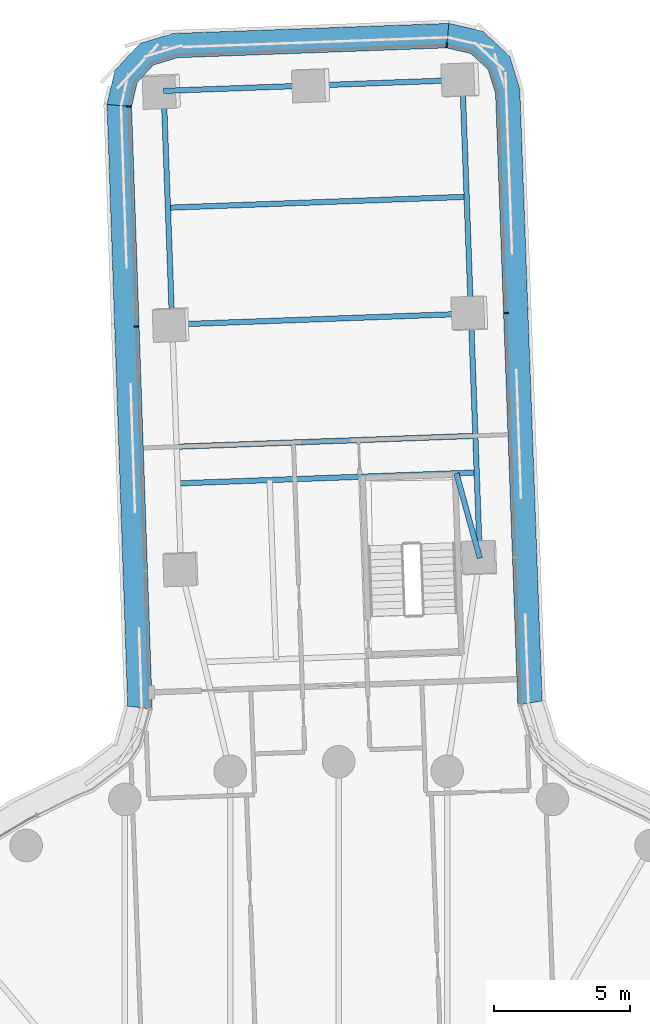
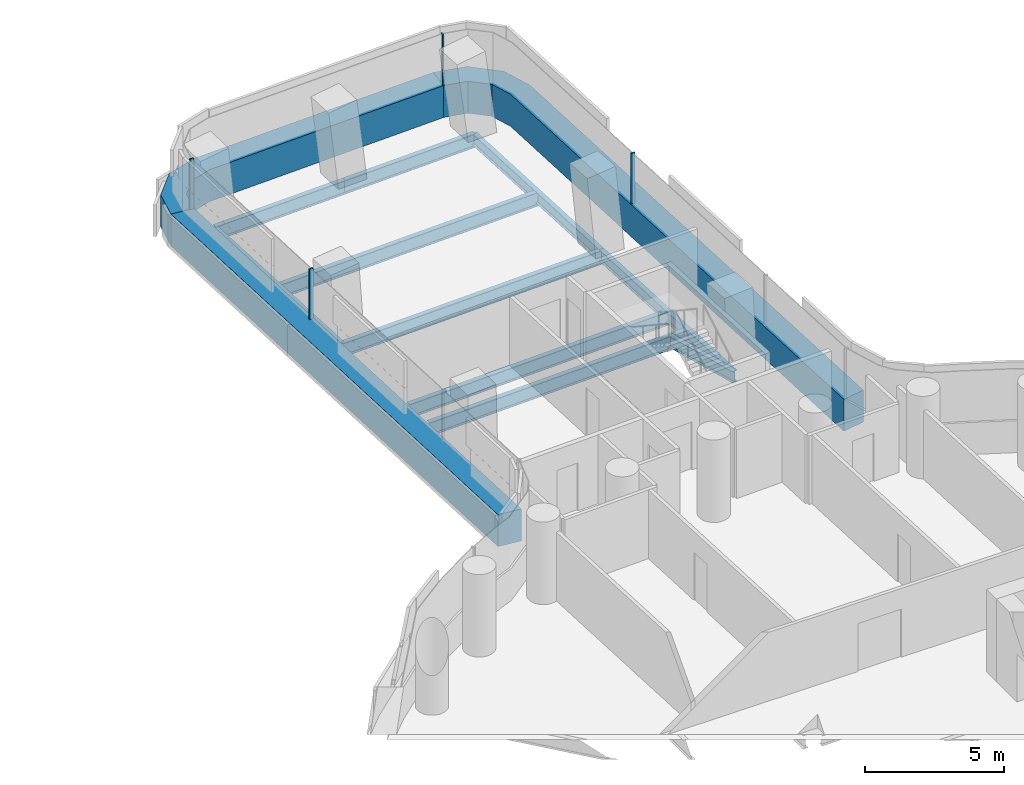
# One storey, part 15 of 31: 10 beams, 7 members, 3 elements without a shape of their own.
"""IFC4 building model written with IfcOpenShell, lengths in metres."""

from ifc_helpers import new_model, si_unit, direction, frame, origin, origin_2d, place, context, subcontext, project, spatial, polyline, rectangle, i_section, outline, extrude, material, layer, layer_set, material_profile, profile_set, type_object, element, aggregate, save


model = new_model("IFC4")

# Units and contexts
model_context = context("Model", 3, precision=1e-05, world=origin(), true_north=direction((0.0, 1.0)))
body_context = subcontext(model_context, "Body", "Model", "MODEL_VIEW")
ifc_project = project(units=[si_unit("LENGTHUNIT", "METRE"), si_unit("AREAUNIT", "SQUARE_METRE"), si_unit("VOLUMEUNIT", "CUBIC_METRE"), si_unit("PLANEANGLEUNIT", "RADIAN"), si_unit("MASSUNIT", "GRAM", prefix="KILO")], contexts=[model_context])

# Site, building, storey
site_placement = place(None, origin())
site = spatial("IfcSite", under=ifc_project, at=site_placement, CompositionType="ELEMENT")
building_placement = place(site_placement, origin())
building = spatial("IfcBuilding", under=site, at=building_placement, Name="Tamarind Cross Interchange Tower", CompositionType="ELEMENT")
storey_placement = place(building_placement, frame((0.0, 0.0, 41.5)))
storey = spatial("IfcBuildingStorey", under=building, at=storey_placement, Name="L08", CompositionType="ELEMENT", Elevation=41.5)

# Beams
ifc_material_1 = material(Name="Steel Q355B", Category="steel")
ifc_material_profile_1 = material_profile(ifc_material_1, i_section(OverallWidth=0.198974609375, OverallDepth=0.49609375, WebThickness=0.009033203125, FlangeThickness=0.013916015625, FilletRadius=0.012939453125, at=origin_2d()), Name="HN 496x199x9x14")
ifc_profile_set_1 = profile_set([ifc_material_profile_1], Name="Steel Q355B")
beam_type_1 = type_object("IfcBeamType", Name="Composite beam HN 496x199x9x14 Q355B", PredefinedType="BEAM", material=ifc_profile_set_1)
beam_1_placement = place(storey_placement, frame((4.552001953125, 48.08544921875, -0.387939453125), z_axis=(0.036441655858, -0.999335782267, 0.0), x_axis=(0.999335782267, 0.036441655858, 0.0)))
element("IfcBeam", 1, at=beam_1_placement, inside=storey, type_object=beam_type_1, Name="Beam N-edgeem5", PredefinedType="BEAM", context=body_context, shape_type="SweptSolid", body=[
    extrude(i_section(OverallWidth=0.198974609375, OverallDepth=0.49609375, WebThickness=0.009033203125, FlangeThickness=0.013916015625, FilletRadius=0.012939453125, at=origin_2d()), origin(), (0.0, 0.0, 1.0), 8.60205078125),
])
beam_2_placement = place(storey_placement, frame((4.865478515625, 39.489013671875, -0.387939453125), z_axis=(0.036458819457, -0.999335156233, 0.0), x_axis=(0.999335156233, 0.036458819457, 0.0)))
element("IfcBeam", 2, at=beam_2_placement, inside=storey, type_object=beam_type_1, Name="Beam N-edgeem6", PredefinedType="BEAM", context=body_context, shape_type="SweptSolid", body=[
    extrude(i_section(OverallWidth=0.198974609375, OverallDepth=0.49609375, WebThickness=0.009033203125, FlangeThickness=0.013916015625, FilletRadius=0.012939453125, at=origin_2d()), origin(), (0.0, 0.0, 1.0), 9.0),
])
beam_3_placement = place(storey_placement, frame((-6.440673828125, 47.684326171875, -0.387939453125), z_axis=(0.036441655858, -0.999335782267, 0.0), x_axis=(0.999335782267, 0.036441655858, 0.0)))
element("IfcBeam", 3, at=beam_3_placement, inside=storey, type_object=beam_type_1, Name="Beam N-edgeep2", PredefinedType="BEAM", context=body_context, shape_type="SweptSolid", body=[
    extrude(i_section(OverallWidth=0.198974609375, OverallDepth=0.49609375, WebThickness=0.009033203125, FlangeThickness=0.013916015625, FilletRadius=0.012939453125, at=origin_2d()), origin(), (0.0, 0.0, 1.0), 8.60205078125),
])
beam_4_placement = place(storey_placement, frame((5.193603515625, 30.4951171875, -0.387939453125), z_axis=(-0.266924334045, 0.963717489669, 0.0), x_axis=(-0.963717489669, -0.266924334045, 0.0)))
element("IfcBeam", 4, at=beam_4_placement, inside=storey, type_object=beam_type_1, Name="Beam N-tr0", PredefinedType="BEAM", context=body_context, shape_type="SweptSolid", body=[
    extrude(i_section(OverallWidth=0.198974609375, OverallDepth=0.49609375, WebThickness=0.009033203125, FlangeThickness=0.013916015625, FilletRadius=0.012939453125, at=origin_2d()), origin(), (0.0, 0.0, 1.0), 3.23779296875),
])
ifc_material_profile_2 = material_profile(ifc_material_1, i_section(OverallWidth=0.199951171875, OverallDepth=0.60009765625, WebThickness=0.010986328125, FlangeThickness=0.01708984375, FilletRadius=0.012939453125, at=origin_2d()), Name="HN 600x200x11x17")
ifc_profile_set_2 = profile_set([ifc_material_profile_2], Name="Steel Q355B")
beam_type_2 = type_object("IfcBeamType", Name="Composite beam HN 600x200x11x17 Q355B", PredefinedType="BEAM", material=ifc_profile_set_2)
for number, where, z_axis, x_axis, name in (
    (5, (4.552001953125, 48.08544921875, -0.43994140625), (-0.999335711609, -0.036443593445, 0.0), (0.036443593445, -0.999335711609, 0.0), "Beam N-tip0"),
    (6, (-0.9443359375, 47.885009765625, -0.43994140625), (-0.999334093998, -0.036487923656, 0.0), (0.036487923656, -0.999334093998, 0.0), "Beam N-tip1"),
):
    element("IfcBeam", number, at=place(storey_placement, frame(where, z_axis=z_axis, x_axis=x_axis)), inside=storey, type_object=beam_type_2, Name=name, PredefinedType="BEAM", context=body_context, shape_type="SweptSolid", body=[
        extrude(i_section(OverallWidth=0.199951171875, OverallDepth=0.60009765625, WebThickness=0.010986328125, FlangeThickness=0.01708984375, FilletRadius=0.012939453125, at=origin_2d()), origin(), (0.0, 0.0, 1.0), 5.5),
    ])
for number, where, z_axis, x_axis, name in (
    (7, (5.078857421875, 33.642822265625, -0.43994140625), (-0.999335711609, -0.036443593445, 0.0), (0.036443593445, -0.999335711609, 0.0), "Beam N-x334"),
    (8, (4.865478515625, 39.489013671875, -0.43994140625), (-0.999334903049, -0.036465758577, 0.0), (0.036465758577, -0.999334903049, 0.0), "Beam N-x393"),
    (9, (5.029541015625, 34.991943359375, -0.43994140625), (-0.999335711609, -0.036443593445, 0.0), (0.036443593445, -0.999335711609, 0.0), "Beam N-x348"),
    (10, (4.708740234375, 43.787353515625, -0.43994140625), (-0.999334903049, -0.036465758577, 0.0), (0.036465758577, -0.999334903049, 0.0), "Beam N-x436"),
):
    element("IfcBeam", number, at=place(storey_placement, frame(where, z_axis=z_axis, x_axis=x_axis)), inside=storey, type_object=beam_type_2, Name=name, PredefinedType="BEAM", context=body_context, shape_type="SweptSolid", body=[
        extrude(i_section(OverallWidth=0.199951171875, OverallDepth=0.60009765625, WebThickness=0.010986328125, FlangeThickness=0.01708984375, FilletRadius=0.012939453125, at=origin_2d()), origin(), (0.0, 0.0, 1.0), 11.0),
    ])

# Curtain wall, member
ifc_material_2 = material(Name="Aluminium 6063-T6", Category="aluminium")
ifc_layer = layer(ifc_material_2, 0.159912109375)
ifc_layer_set = layer_set([ifc_layer], Name="Aluminium 6063-T6")
curtain_wall_type = type_object("IfcCurtainWallType", Name="Office curtain wall, 9.0 m bays", PredefinedType="NOTDEFINED", material=ifc_layer_set)
curtain_wall_1_placement = place(storey_placement, origin())
curtain_wall_1 = element("IfcCurtainWall", 11, at=curtain_wall_1_placement, inside=storey, type_object=curtain_wall_type, Name="CWS-L08-11", PredefinedType="NOTDEFINED")
ifc_material_3 = material(Name="Aluminium and insulated spandrel panel", Category="aluminium")
member_type_1 = type_object("IfcMemberType", Name="Floor-edge blade transom", PredefinedType="USERDEFINED", material=ifc_material_3)
member_1_placement = place(storey_placement, origin())
member_1 = element("IfcMember", 12, at=member_1_placement, type_object=member_type_1, Name="CWT-L08-11", ObjectType="TRANSOM", PredefinedType="USERDEFINED", context=body_context, shape_type="SweptSolid", body=[
    extrude(outline(polyline([(6.591796875, 25.08544921875), (5.770751953125, 47.590087890625), (5.501708984375, 48.465087890625), (4.861328125, 49.060546875), (3.968994140625, 49.264892578125), (4.0546875, 50.168701171875), (5.29736328125, 49.8837890625), (6.291259765625, 48.9599609375), (6.665771484375, 47.7412109375), (7.48681640625, 25.23779296875), (6.591796875, 25.08544921875)])), origin(), (0.0, 0.0, 1.0), 1.39990234375),
])

curtain_wall_2_placement = place(storey_placement, origin())
curtain_wall_2 = element("IfcCurtainWall", 13, at=curtain_wall_2_placement, inside=storey, type_object=curtain_wall_type, Name="CWS-L08-12", PredefinedType="NOTDEFINED")
member_2_placement = place(storey_placement, origin())
member_2 = element("IfcMember", 14, at=member_2_placement, type_object=member_type_1, Name="CWT-L08-12", ObjectType="TRANSOM", PredefinedType="USERDEFINED", context=body_context, shape_type="SweptSolid", body=[
    extrude(outline(polyline([(3.968994140625, 49.264892578125), (-5.9453125, 48.9033203125), (-6.8203125, 48.63427734375), (-7.415771484375, 47.99365234375), (-7.620361328125, 47.10107421875), (-8.52392578125, 47.187744140625), (-8.2392578125, 48.429931640625), (-7.3154296875, 49.423583984375), (-6.0966796875, 49.79833984375), (4.0546875, 50.168701171875), (3.968994140625, 49.264892578125)])), origin(), (0.0, 0.0, 1.0), 1.39990234375),
])

curtain_wall_3_placement = place(storey_placement, origin())
curtain_wall_3 = element("IfcCurtainWall", 15, at=curtain_wall_3_placement, inside=storey, type_object=curtain_wall_type, Name="CWS-L08-13", PredefinedType="NOTDEFINED")
member_3_placement = place(storey_placement, origin())
member_3 = element("IfcMember", 16, at=member_3_placement, type_object=member_type_1, Name="CWT-L08-13", ObjectType="TRANSOM", PredefinedType="USERDEFINED", context=body_context, shape_type="SweptSolid", body=[
    extrude(outline(polyline([(-7.620361328125, 47.10107421875), (-6.85888671875, 24.9375), (-7.762939453125, 25.045654296875), (-8.52392578125, 47.187744140625), (-7.620361328125, 47.10107421875)])), origin(), (0.0, 0.0, 1.0), 1.39990234375),
])

# Member
ifc_material_profile_3 = material_profile(ifc_material_2, rectangle(XDim=0.06005859375, YDim=0.159912109375, at=origin_2d()), Name="Mullion CW1")
ifc_profile_set_3 = profile_set([ifc_material_profile_3], Name="Aluminium 6063-T6")
member_type_2 = type_object("IfcMemberType", Name="Mullion CW1", PredefinedType="MULLION", material=ifc_profile_set_3)
member_4_placement = place(storey_placement, frame((6.16552734375, 39.510009765625, 1.39990234375), z_axis=(0.0, 0.0, 1.0), x_axis=(-0.036462315768, 0.999335028671, 0.0)))
member_4 = element("IfcMember", 17, at=member_4_placement, type_object=member_type_2, Name="CWM-L08-11-02", PredefinedType="MULLION", context=body_context, shape_type="SweptSolid", body=[
    extrude(rectangle(XDim=0.06005859375, YDim=0.159912109375, at=origin_2d()), origin(), (0.0, 0.0, 1.0), 2.210205078125),
])

aggregate(curtain_wall_1, [member_4, member_1])

member_5_placement = place(storey_placement, frame((3.978515625, 49.365478515625, 1.39990234375), z_axis=(0.0, 0.0, 1.0), x_axis=(-0.995544866203, 0.094289020443, 0.0)))
member_5 = element("IfcMember", 18, at=member_5_placement, type_object=member_type_2, Name="CWM-L08-12-00", PredefinedType="MULLION", context=body_context, shape_type="SweptSolid", body=[
    extrude(rectangle(XDim=0.06005859375, YDim=0.159912109375, at=origin_2d()), origin(), (0.0, 0.0, 1.0), 2.210205078125),
])

aggregate(curtain_wall_2, [member_5, member_2])

member_6_placement = place(storey_placement, frame((-7.720703125, 47.11083984375, 1.39990234375), z_axis=(0.0, 0.0, 1.0), x_axis=(-0.095344723058, -0.995444314759, 0.0)))
member_6 = element("IfcMember", 19, at=member_6_placement, type_object=member_type_2, Name="CWM-L08-13-00", PredefinedType="MULLION", context=body_context, shape_type="SweptSolid", body=[
    extrude(rectangle(XDim=0.06005859375, YDim=0.159912109375, at=origin_2d()), origin(), (0.0, 0.0, 1.0), 2.210205078125),
])

member_7_placement = place(storey_placement, frame((-7.4423828125, 39.01171875, 1.39990234375), z_axis=(0.0, 0.0, 1.0), x_axis=(0.034342684894, -0.999410116016, 0.0)))
member_7 = element("IfcMember", 20, at=member_7_placement, type_object=member_type_2, Name="CWM-L08-13-01", PredefinedType="MULLION", context=body_context, shape_type="SweptSolid", body=[
    extrude(rectangle(XDim=0.06005859375, YDim=0.159912109375, at=origin_2d()), origin(), (0.0, 0.0, 1.0), 2.210205078125),
])

aggregate(curtain_wall_3, [member_6, member_7, member_3])

save(model, "model.ifc")
